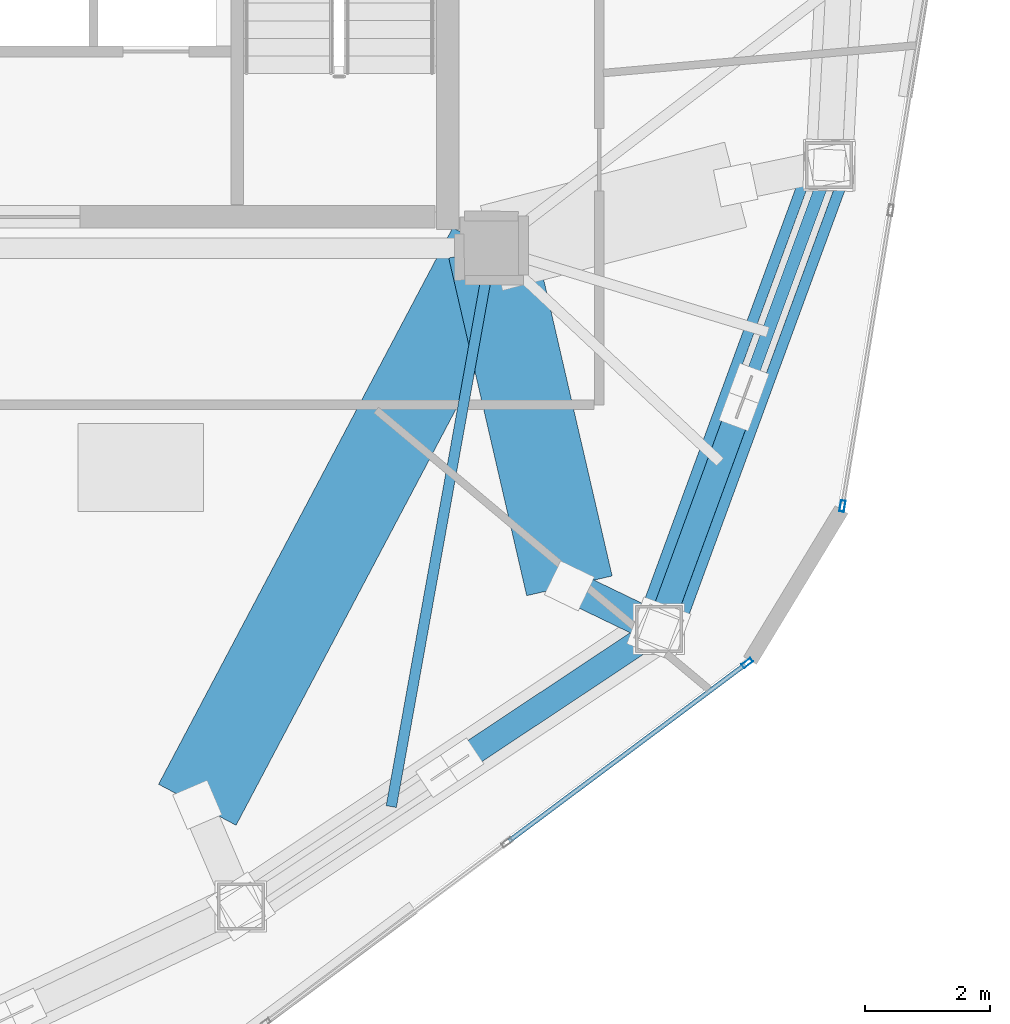
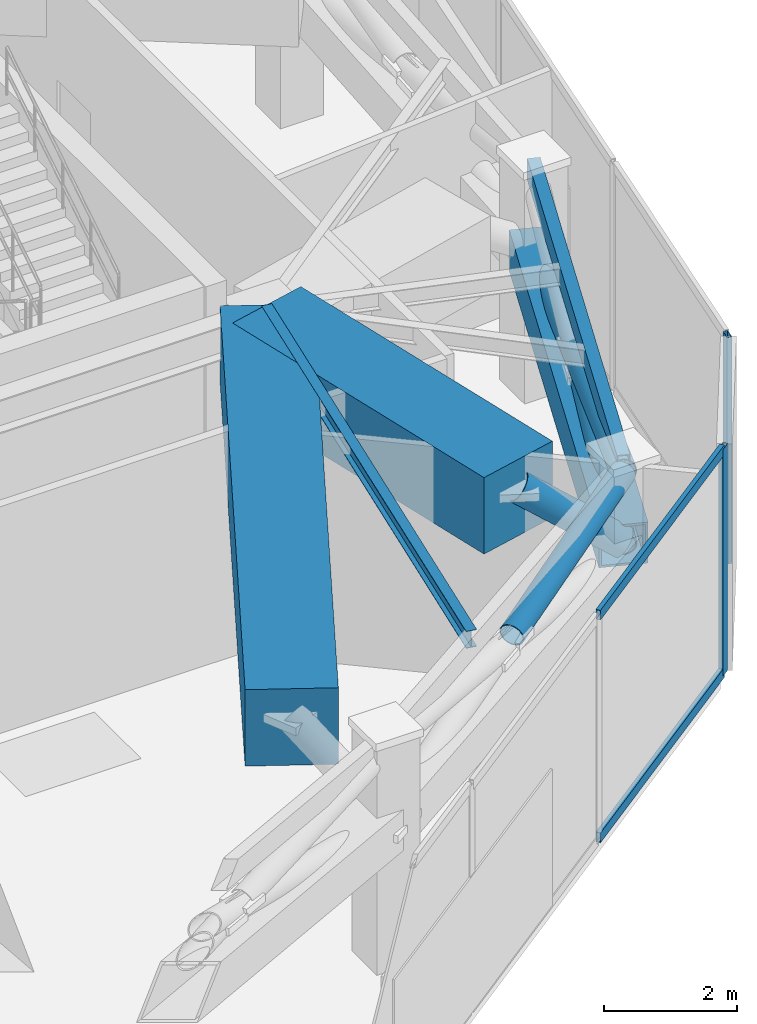
# One storey, part 5 of 19: 9 members, 4 beams, 2 elements without a shape of their own.
"""IFC4 building model written with IfcOpenShell, lengths in metres."""

from ifc_helpers import new_model, si_unit, direction, frame, origin, origin_2d, place, context, subcontext, project, spatial, rectangle, hollow_rectangle, hollow_circle, i_section, extrude, source, transform, mapped, material, layer, layer_set, material_profile, profile_set, type_object, type_shapes, element, aggregate, save


model = new_model("IFC4")

# Units and contexts
model_context = context("Model", 3, precision=1e-05, world=origin(), true_north=direction((0.0, 1.0)))
body_context = subcontext(model_context, "Body", "Model", "MODEL_VIEW")
ifc_project = project(units=[si_unit("LENGTHUNIT", "METRE"), si_unit("AREAUNIT", "SQUARE_METRE"), si_unit("VOLUMEUNIT", "CUBIC_METRE"), si_unit("PLANEANGLEUNIT", "RADIAN"), si_unit("MASSUNIT", "GRAM", prefix="KILO")], contexts=[model_context])

# Site, building, storey
site_placement = place(None, origin())
site = spatial("IfcSite", under=ifc_project, at=site_placement, CompositionType="ELEMENT")
building_placement = place(site_placement, origin())
building = spatial("IfcBuilding", under=site, at=building_placement, Name="Talar Marvaseh", CompositionType="ELEMENT")
storey_placement = place(building_placement, frame((0.0, 0.0, 236.199951171875)))
storey = spatial("IfcBuildingStorey", under=building, at=storey_placement, Name="L62", CompositionType="ELEMENT", Elevation=236.199951171875)

# Beams
ifc_material_1 = material(Name="Concrete C70/85", Category="concrete")
ifc_material_profile_1 = material_profile(ifc_material_1, rectangle(XDim=1.39990234375, YDim=1.39990234375, at=origin_2d()), Name="RC1400x1400")
ifc_profile_set_1 = profile_set([ifc_material_profile_1], Name="Concrete C70/85")
beam_type_1 = type_object("IfcBeamType", Name="Setback Deep Concrete Transfer Girder RC1400x1400", PredefinedType="BEAM", material=ifc_profile_set_1)
beam_1_placement = place(storey_placement, frame((34.5439453125, 20.111083984375, 3.449951171875), z_axis=(-0.22491108979, 0.974379290466, 0.0), x_axis=(-0.974379290466, -0.22491108979, 0.0)))
element("IfcBeam", 1, at=beam_1_placement, inside=storey, type_object=beam_type_1, Name="L62 Setback Backspan Transfer Girder 9", PredefinedType="BEAM", context=body_context, shape_type="SweptSolid", body=[
    extrude(rectangle(XDim=1.39990234375, YDim=1.39990234375, at=origin_2d()), origin(), (0.0, 0.0, 1.0), 5.530517578125),
])
beam_2_placement = place(storey_placement, frame((28.60498046875, 16.616943359375, 3.449951171875), z_axis=(0.467286976471, 0.884105695955, 0.0), x_axis=(-0.884105695955, 0.467286976471, 0.0)))
element("IfcBeam", 2, at=beam_2_placement, inside=storey, type_object=beam_type_1, Name="L62 Setback Backspan Transfer Girder 10", PredefinedType="BEAM", context=body_context, shape_type="SweptSolid", body=[
    extrude(rectangle(XDim=1.39990234375, YDim=1.39990234375, at=origin_2d()), origin(), (0.0, 0.0, 1.0), 10.047607421875),
])
ifc_material_2 = material(Name="Steel S355", Category="steel")
ifc_material_profile_2 = material_profile(ifc_material_2, hollow_rectangle(XDim=0.199951171875, YDim=0.39990234375, WallThickness=0.013916015625, at=origin_2d()), Name="RHS400x200x14")
ifc_profile_set_2 = profile_set([ifc_material_profile_2], Name="Steel S355")
beam_type_2 = type_object("IfcBeamType", Name="Zone 3 Perimeter Spandrel Beam RHS400x200x14", PredefinedType="SPANDREL", material=ifc_profile_set_2)
beam_3_placement = place(storey_placement, frame((38.68896484375, 26.823974609375, 3.949951171875), z_axis=(-0.344742291376, -0.938697370049, 0.0), x_axis=(0.938697370049, -0.344742291376, 0.0)))
element("IfcBeam", 3, at=beam_3_placement, inside=storey, type_object=beam_type_2, Name="L62 Zone 3 Perimeter Spandrel Beam RHS400x200x14", PredefinedType="SPANDREL", context=body_context, shape_type="SweptSolid", body=[
    extrude(hollow_rectangle(XDim=0.199951171875, YDim=0.39990234375, WallThickness=0.013916015625, at=origin_2d()), origin(), (0.0, 0.0, 1.0), 7.88427734375),
])
ifc_material_profile_3 = material_profile(ifc_material_2, i_section(OverallWidth=0.166015625, OverallDepth=0.31298828125, WebThickness=0.006591796875, FlangeThickness=0.01123046875, at=origin_2d()), Name="W310x45")
ifc_profile_set_3 = profile_set([ifc_material_profile_3], Name="Steel S355")
beam_type_3 = type_object("IfcBeamType", Name="Zone 3 Secondary Floor Joist W310x45", PredefinedType="JOIST", material=ifc_profile_set_3)
beam_4_placement = place(storey_placement, frame((31.700927734375, 16.58837890625, 3.99365234375), z_axis=(0.176621193321, 0.984278900551, 0.0), x_axis=(-0.984278900551, 0.176621193321, 0.0)))
element("IfcBeam", 4, at=beam_4_placement, inside=storey, type_object=beam_type_3, Name="L62 Zone 3 Secondary Floor Joist W310x45", PredefinedType="JOIST", context=body_context, shape_type="SweptSolid", body=[
    extrude(i_section(OverallWidth=0.166015625, OverallDepth=0.31298828125, WebThickness=0.006591796875, FlangeThickness=0.01123046875, at=origin_2d()), origin(), (0.0, 0.0, 1.0), 9.053955078125),
])

# Members
ifc_material_3 = material(Name="Steel S460", Category="steel")
ifc_material_profile_4 = material_profile(ifc_material_3, hollow_circle(Radius=0.25390625, WallThickness=0.02001953125, at=origin_2d()), Name="CHS508x20")
ifc_profile_set_4 = profile_set([ifc_material_profile_4], Name="Steel S460")
member_type_1 = type_object("IfcMemberType", Name="Crown Frame Diagonal Brace CHS508x20", PredefinedType="BRACE", material=ifc_profile_set_4)
shared_shape_1 = source(origin(), body_context, "Body", "SweptSolid", [
    extrude(hollow_circle(Radius=0.25390625, WallThickness=0.02001953125, at=origin_2d()), origin(), (0.0, 0.0, 1.0), 1.9287109375),
])
type_shapes(member_type_1, [shared_shape_1])
member_1_placement = place(storey_placement, frame((35.970947265625, 19.423095703125, 2.550048828125), z_axis=(-0.7398782487, 0.356711189878, 0.570383471111), x_axis=(-0.434283555235, -0.900776217299, 0.0)))
element("IfcMember", 5, at=member_1_placement, inside=storey, type_object=member_type_1, Name="L62 Setback Transfer Raked Strut 9", PredefinedType="BRACE", context=body_context, shape_type="MappedRepresentation", body=[
    mapped(shared_shape_1, transform((0.0, 0.0, 0.0), x_axis=(1.0, 0.0, 0.0), y_axis=(0.0, 1.0, 0.0), z_axis=(0.0, 0.0, 1.0), scale=1.0)),
])
ifc_material_profile_5 = material_profile(ifc_material_3, hollow_rectangle(XDim=0.75, YDim=0.75, WallThickness=0.0400390625, at=origin_2d()), Name="BOX750x750x40")
ifc_profile_set_5 = profile_set([ifc_material_profile_5], Name="Steel S460")
member_type_2 = type_object("IfcMemberType", Name="Belt Truss Chord Member BOX750x750x40", PredefinedType="CHORD", material=ifc_profile_set_5)
shared_shape_2 = source(origin(), body_context, "Body", "SweptSolid", [
    extrude(hollow_rectangle(XDim=0.75, YDim=0.75, WallThickness=0.0400390625, at=origin_2d()), origin(), (0.0, 0.0, 1.0), 7.88427734375),
])
type_shapes(member_type_2, [shared_shape_2])
member_2_placement = place(storey_placement, frame((38.68896484375, 26.823974609375, 2.5), z_axis=(-0.344742291376, -0.938697370049, 0.0), x_axis=(0.938697370049, -0.344742291376, 0.0)))
element("IfcMember", 6, at=member_2_placement, inside=storey, type_object=member_type_2, Name="L62 Belt Truss Bottom Chord 4", PredefinedType="CHORD", context=body_context, shape_type="MappedRepresentation", body=[
    mapped(shared_shape_2, transform((0.0, 0.0, 0.0), x_axis=(1.0, 0.0, 0.0), y_axis=(0.0, 1.0, 0.0), z_axis=(0.0, 0.0, 1.0), scale=1.0)),
])
ifc_material_profile_6 = material_profile(ifc_material_3, hollow_circle(Radius=0.203125, WallThickness=0.01611328125, at=origin_2d()), Name="CHS406x16")
ifc_profile_set_6 = profile_set([ifc_material_profile_6], Name="Steel S460")
member_type_3 = type_object("IfcMemberType", Name="Belt Truss Diagonal Brace CHS406x16", PredefinedType="BRACE", material=ifc_profile_set_6)
shared_shape_3 = source(origin(), body_context, "Body", "SweptSolid", [
    extrude(hollow_circle(Radius=0.203125, WallThickness=0.01611328125, at=origin_2d()), origin(), (0.0, 0.0, 1.0), 7.9990234375),
])
member_3_placement = place(storey_placement, frame((38.68896484375, 26.823974609375, 2.5), z_axis=(-0.339796289169, -0.925229920944, 0.168784108426), x_axis=(0.938697370049, -0.344742291376, 0.0)))
element("IfcMember", 7, at=member_3_placement, inside=storey, type_object=member_type_3, Name="L62 Belt Truss Continuous Diagonal 4", PredefinedType="BRACE", context=body_context, shape_type="MappedRepresentation", body=[
    mapped(shared_shape_3, transform((0.0, 0.0, 0.0), x_axis=(1.0, 0.0, 0.0), y_axis=(0.0, 1.0, 0.0), z_axis=(0.0, 0.0, 1.0), scale=1.0)),
])
shared_shape_4 = source(origin(), body_context, "Body", "SweptSolid", [
    extrude(hollow_circle(Radius=0.203125, WallThickness=0.01611328125, at=origin_2d()), origin(), (0.0, 0.0, 1.0), 3.759521484375),
])
member_4_placement = place(storey_placement, frame((35.970947265625, 19.423095703125, 2.5), z_axis=(0.339836650066, 0.925215508024, 0.168781856205), x_axis=(-0.938682380047, 0.344783104849, 0.0)))
element("IfcMember", 8, at=member_4_placement, inside=storey, type_object=member_type_3, Name="L62 Belt Truss Split Diagonal Lower 4", PredefinedType="BRACE", context=body_context, shape_type="MappedRepresentation", body=[
    mapped(shared_shape_4, transform((0.0, 0.0, 0.0), x_axis=(1.0, 0.0, 0.0), y_axis=(0.0, 1.0, 0.0), z_axis=(0.0, 0.0, 1.0), scale=1.0)),
])
shared_shape_5 = source(origin(), body_context, "Body", "SweptSolid", [
    extrude(hollow_circle(Radius=0.203125, WallThickness=0.01611328125, at=origin_2d()), origin(), (0.0, 0.0, 1.0), 3.820556640625),
])
type_shapes(member_type_3, [shared_shape_3, shared_shape_4, shared_shape_5])
member_5_placement = place(storey_placement, frame((32.832275390625, 17.33935546875, 3.21484375), z_axis=(0.821518512292, 0.545399852397, 0.166271870643), x_axis=(-0.553099019172, 0.833115523196, 0.0)))
element("IfcMember", 9, at=member_5_placement, inside=storey, type_object=member_type_3, Name="L62 Belt Truss Split Diagonal Upper 5", PredefinedType="BRACE", context=body_context, shape_type="MappedRepresentation", body=[
    mapped(shared_shape_5, transform((0.0, 0.0, 0.0), x_axis=(1.0, 0.0, 0.0), y_axis=(0.0, 1.0, 0.0), z_axis=(0.0, 0.0, 1.0), scale=1.0)),
])

# Curtain wall, member
ifc_material_4 = material(Name="Architectural Aluminium", Category="aluminium")
ifc_layer = layer(ifc_material_4, 0.18994140625)
ifc_layer_set = layer_set([ifc_layer], Name="Architectural Aluminium")
curtain_wall_type = type_object("IfcCurtainWallType", Name="Unitised Solar Atelier Curtain Wall Z3", PredefinedType="NOTDEFINED", material=ifc_layer_set)
curtain_wall_1_placement = place(storey_placement, origin())
curtain_wall_1 = element("IfcCurtainWall", 10, at=curtain_wall_1_placement, inside=storey, type_object=curtain_wall_type, Name="L62 Unitised Solar Atelier Curtain Wall Z3", PredefinedType="NOTDEFINED")
ifc_material_profile_7 = material_profile(ifc_material_4, hollow_rectangle(XDim=0.074951171875, YDim=0.179931640625, WallThickness=0.0048828125, at=origin_2d()), Name="RHS180x75x5")
ifc_profile_set_7 = profile_set([ifc_material_profile_7], Name="Architectural Aluminium")
member_type_4 = type_object("IfcMemberType", Name="Unitised Curtain Wall Standard Mullion RHS180x75x5", PredefinedType="MULLION", material=ifc_profile_set_7)
shared_shape_6 = source(origin(), body_context, "Body", "SweptSolid", [
    extrude(hollow_rectangle(XDim=0.074951171875, YDim=0.179931640625, WallThickness=0.0048828125, at=origin_2d()), origin(), (0.0, 0.0, 1.0), 4.150146484375),
])
type_shapes(member_type_4, [shared_shape_6])
member_6_placement = place(storey_placement, frame((38.9013671875, 21.384521484375, 0.0), z_axis=(0.0, 0.0, 1.0), x_axis=(0.986971316934, -0.160896300608, 0.0)))
member_6 = element("IfcMember", 11, at=member_6_placement, type_object=member_type_4, Name="CW-Z3 mullion 5", PredefinedType="MULLION", context=body_context, shape_type="MappedRepresentation", body=[
    mapped(shared_shape_6, transform((0.0, 0.0, 0.0), x_axis=(1.0, 0.0, 0.0), y_axis=(0.0, 1.0, 0.0), z_axis=(0.0, 0.0, 1.0), scale=1.0)),
])
aggregate(curtain_wall_1, [member_6])

# Curtain wall, members
curtain_wall_2_placement = place(storey_placement, origin())
curtain_wall_2 = element("IfcCurtainWall", 12, at=curtain_wall_2_placement, inside=storey, type_object=curtain_wall_type, Name="L62 Unitised Solar Atelier Curtain Wall Z3", PredefinedType="NOTDEFINED")
member_7_placement = place(storey_placement, frame((37.381591796875, 18.880126953125, 0.0), z_axis=(0.0, 0.0, 1.0), x_axis=(0.598447667514, -0.801161899523, 0.0)))
member_7 = element("IfcMember", 13, at=member_7_placement, type_object=member_type_4, Name="CW-Z3 mullion 1", PredefinedType="MULLION", context=body_context, shape_type="MappedRepresentation", body=[
    mapped(shared_shape_6, transform((0.0, 0.0, 0.0), x_axis=(1.0, 0.0, 0.0), y_axis=(0.0, 1.0, 0.0), z_axis=(0.0, 0.0, 1.0), scale=1.0)),
])
ifc_material_profile_8 = material_profile(ifc_material_4, hollow_rectangle(XDim=0.074951171875, YDim=0.179931640625, WallThickness=0.0048828125, at=origin_2d()), Name="RHS180x75x5")
ifc_profile_set_8 = profile_set([ifc_material_profile_8], Name="Architectural Aluminium")
member_type_5 = type_object("IfcMemberType", Name="Unitised Curtain Wall Transom RHS180x75x5", PredefinedType="USERDEFINED", material=ifc_profile_set_8)
shared_shape_7 = source(origin(), body_context, "Body", "SweptSolid", [
    extrude(hollow_rectangle(XDim=0.074951171875, YDim=0.179931640625, WallThickness=0.0048828125, at=origin_2d()), origin(), (0.0, 0.0, 1.0), 4.70947265625),
])
type_shapes(member_type_5, [shared_shape_7])
member_8_placement = place(storey_placement, frame((37.3515625, 18.857666015625, 0.03759765625), z_axis=(-0.801174176199, -0.598431231966, 0.0), x_axis=(0.598431231966, -0.801174176199, 0.0)))
member_8 = element("IfcMember", 14, at=member_8_placement, type_object=member_type_5, Name="CW-Z3 transom 1.1", ObjectType="TRANSOM", PredefinedType="USERDEFINED", context=body_context, shape_type="MappedRepresentation", body=[
    mapped(shared_shape_7, transform((0.0, 0.0, 0.0), x_axis=(1.0, 0.0, 0.0), y_axis=(0.0, 1.0, 0.0), z_axis=(0.0, 0.0, 1.0), scale=1.0)),
])
member_9_placement = place(storey_placement, frame((37.3515625, 18.857666015625, 4.112548828125), z_axis=(-0.801174176199, -0.598431231966, 0.0), x_axis=(0.598431231966, -0.801174176199, 0.0)))
member_9 = element("IfcMember", 15, at=member_9_placement, type_object=member_type_5, Name="CW-Z3 transom 1.2", ObjectType="TRANSOM", PredefinedType="USERDEFINED", context=body_context, shape_type="MappedRepresentation", body=[
    mapped(shared_shape_7, transform((0.0, 0.0, 0.0), x_axis=(1.0, 0.0, 0.0), y_axis=(0.0, 1.0, 0.0), z_axis=(0.0, 0.0, 1.0), scale=1.0)),
])
aggregate(curtain_wall_2, [member_7, member_8, member_9])

save(model, "model.ifc")
